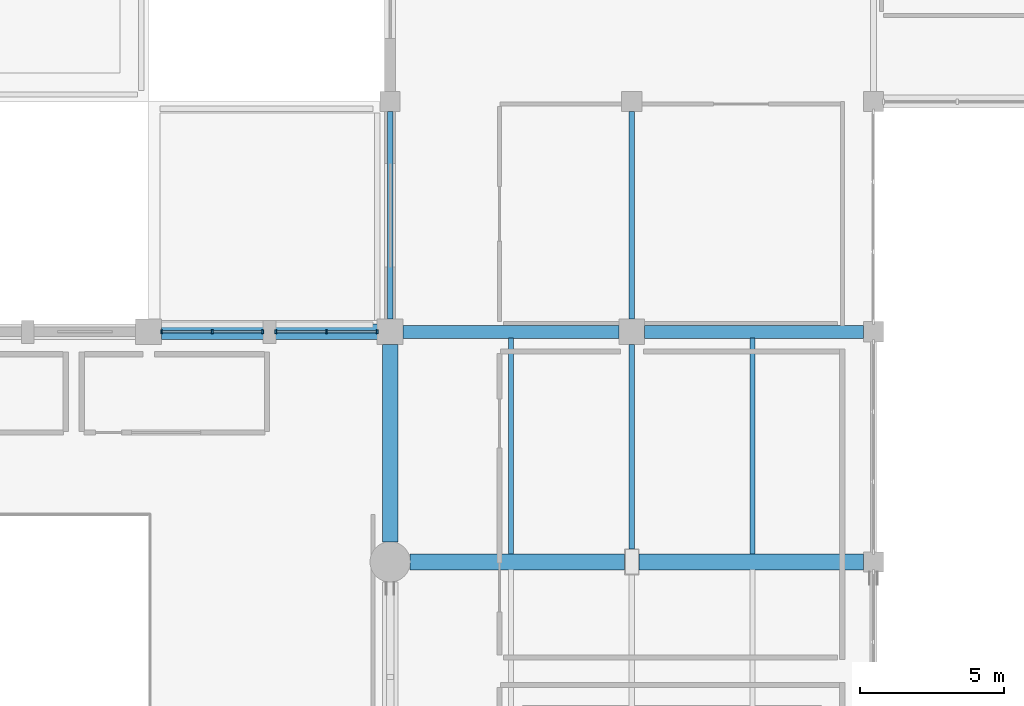
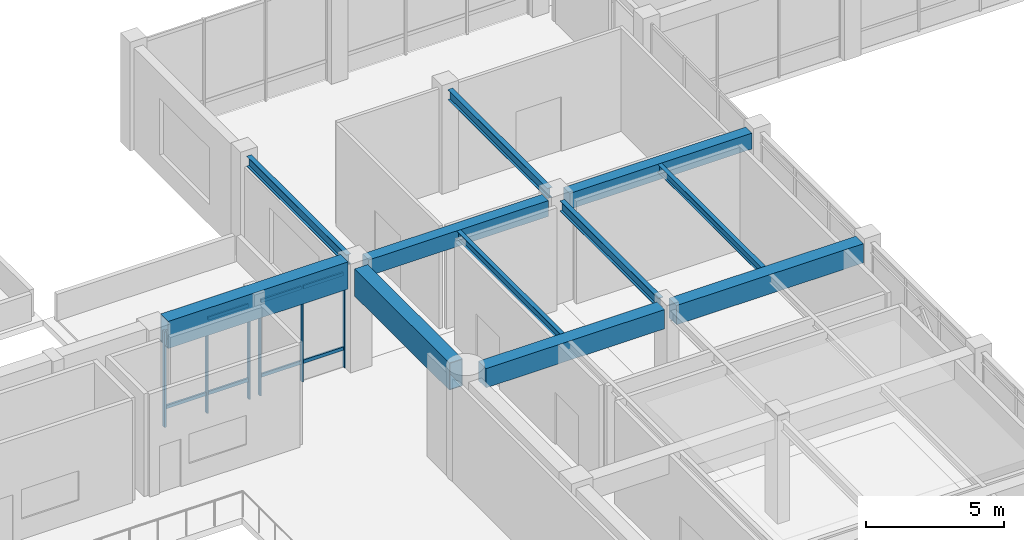
# One storey, part 16 of 76: 14 members, 11 beams, 2 elements without a shape of their own.
"""IFC4 building model written with IfcOpenShell, lengths in metres."""

from ifc_helpers import new_model, si_unit, direction, frame, origin, origin_2d, place, context, subcontext, project, spatial, rectangle, hollow_rectangle, i_section, extrude, material, layer, layer_set, material_profile, profile_set, type_object, element, aggregate, save


model = new_model("IFC4")

# Units and contexts
model_context = context("Model", 3, precision=1e-05, world=origin(), true_north=direction((0.0, 1.0)))
body_context = subcontext(model_context, "Body", "Model", "MODEL_VIEW")
ifc_project = project(units=[si_unit("LENGTHUNIT", "METRE"), si_unit("AREAUNIT", "SQUARE_METRE"), si_unit("VOLUMEUNIT", "CUBIC_METRE"), si_unit("PLANEANGLEUNIT", "RADIAN"), si_unit("MASSUNIT", "GRAM", prefix="KILO")], contexts=[model_context])

# Site, building, storey
site_placement = place(None, origin())
site = spatial("IfcSite", under=ifc_project, at=site_placement, CompositionType="ELEMENT")
building_placement = place(site_placement, origin())
building = spatial("IfcBuilding", under=site, at=building_placement, Name="Naruveol Harbour Congress Hotel", CompositionType="ELEMENT")
storey_placement = place(building_placement, frame((0.0, 0.0, 11.39990234375)))
storey = spatial("IfcBuildingStorey", under=building, at=storey_placement, Name="L02", CompositionType="ELEMENT", Elevation=11.39990234375)

# Beams
ifc_material_1 = material(Name="Concrete C40/50", Category="concrete")
ifc_material_profile_1 = material_profile(ifc_material_1, rectangle(XDim=0.550048828125, YDim=0.85009765625, at=origin_2d()), Name="RCB-550x850")
ifc_profile_set_1 = profile_set([ifc_material_profile_1], Name="Concrete C40/50")
beam_type_1 = type_object("IfcBeamType", Name="RC PRIMARY GIRDER 550X850", PredefinedType="BEAM", material=ifc_profile_set_1)
beam_1_placement = place(storey_placement, frame((51.095947265625, 48.0, 4.114990234375), z_axis=(1.0, 0.0, 0.0), x_axis=(0.0, 1.0, 0.0)))
element("IfcBeam", 1, at=beam_1_placement, inside=storey, type_object=beam_type_1, Name="Floor girder L03 CB2", PredefinedType="BEAM", context=body_context, shape_type="SweptSolid", body=[
    extrude(rectangle(XDim=0.550048828125, YDim=0.85009765625, at=origin_2d()), origin(), (0.0, 0.0, 1.0), 7.4580078125),
])
beam_2_placement = place(storey_placement, frame((59.0458984375, 48.0, 4.114990234375), z_axis=(1.0, 0.0, 0.0), x_axis=(0.0, 1.0, 0.0)))
element("IfcBeam", 2, at=beam_2_placement, inside=storey, type_object=beam_type_1, Name="Floor girder L03 CB2", PredefinedType="BEAM", context=body_context, shape_type="SweptSolid", body=[
    extrude(rectangle(XDim=0.550048828125, YDim=0.85009765625, at=origin_2d()), origin(), (0.0, 0.0, 1.0), 7.80810546875),
])
ifc_material_2 = material(Name="Concrete C40/50", Category="concrete")
ifc_material_profile_2 = material_profile(ifc_material_2, rectangle(XDim=0.449951171875, YDim=0.699951171875, at=origin_2d()), Name="RCB-450x700")
ifc_profile_set_2 = profile_set([ifc_material_profile_2], Name="Concrete C40/50")
beam_type_2 = type_object("IfcBeamType", Name="RC SPANDREL BEAM 450X700", PredefinedType="SPANDREL", material=ifc_profile_set_2)
beam_3_placement = place(storey_placement, frame((50.845947265625, 56.0, 4.190185546875), z_axis=(1.0, 0.0, 0.0), x_axis=(0.0, 1.0, 0.0)))
element("IfcBeam", 3, at=beam_3_placement, inside=storey, type_object=beam_type_2, Name="Floor girder L03 SPB1", PredefinedType="SPANDREL", context=body_context, shape_type="SweptSolid", body=[
    extrude(rectangle(XDim=0.449951171875, YDim=0.699951171875, at=origin_2d()), origin(), (0.0, 0.0, 1.0), 7.508056640625),
])
beam_4_placement = place(storey_placement, frame((59.24609375, 56.0, 4.190185546875), z_axis=(1.0, 0.0, 0.0), x_axis=(0.0, 1.0, 0.0)))
element("IfcBeam", 4, at=beam_4_placement, inside=storey, type_object=beam_type_2, Name="Floor girder L03 SPB1", PredefinedType="SPANDREL", context=body_context, shape_type="SweptSolid", body=[
    extrude(rectangle(XDim=0.449951171875, YDim=0.699951171875, at=origin_2d()), origin(), (0.0, 0.0, 1.0), 7.60791015625),
])
ifc_material_3 = material(Name="Steel SN490", Category="steel")
ifc_material_profile_3 = material_profile(ifc_material_3, hollow_rectangle(XDim=0.550048828125, YDim=1.199951171875, WallThickness=0.028076171875, at=origin_2d()), Name="RHS-1200x550x28")
ifc_profile_set_3 = profile_set([ifc_material_profile_3], Name="Steel SN490")
beam_type_3 = type_object("IfcBeamType", Name="STEEL RING BOX GIRDER 1200X550", PredefinedType="BEAM", material=ifc_profile_set_3)
beam_5_placement = place(storey_placement, frame((42.446044921875, 56.0, 4.2001953125), z_axis=(1.0, 0.0, 0.0), x_axis=(0.0, 1.0, 0.0)))
element("IfcBeam", 5, at=beam_5_placement, inside=storey, type_object=beam_type_3, Name="Congress ring girder RG1", PredefinedType="BEAM", context=body_context, shape_type="SweptSolid", body=[
    extrude(hollow_rectangle(XDim=0.550048828125, YDim=1.199951171875, WallThickness=0.028076171875, at=origin_2d()), origin(), (0.0, 0.0, 1.0), 7.508056640625),
])
beam_6_placement = place(storey_placement, frame((50.39990234375, 48.696044921875, 3.940185546875), z_axis=(0.0, 1.0, 0.0), x_axis=(-1.0, 0.0, 0.0)))
element("IfcBeam", 6, at=beam_6_placement, inside=storey, type_object=beam_type_3, Name="Congress ring girder RG1", PredefinedType="BEAM", context=body_context, shape_type="SweptSolid", body=[
    extrude(hollow_rectangle(XDim=0.550048828125, YDim=1.199951171875, WallThickness=0.028076171875, at=origin_2d()), origin(), (0.0, 0.0, 1.0), 6.85791015625),
])
ifc_material_4 = material(Name="Steel SN490", Category="steel")
ifc_material_profile_4 = material_profile(ifc_material_4, i_section(OverallWidth=0.175048828125, OverallDepth=0.35009765625, WebThickness=0.007080078125, FlangeThickness=0.010986328125, at=origin_2d()), Name="H-350x175x7x11")
ifc_profile_set_4 = profile_set([ifc_material_profile_4], Name="Steel SN490")
beam_type_4 = type_object("IfcBeamType", Name="STEEL SECONDARY JOIST H350", PredefinedType="JOIST", material=ifc_profile_set_4)
for number, where, z_axis, x_axis, name in (
    (7, (54.60009765625, 48.27099609375, 4.364990234375), (0.0, 1.0, 0.0), (-1.0, 0.0, 0.0), "Secondary floor joist L03 SJ2"),
    (8, (63.0, 48.27099609375, 4.364990234375), (0.0, 1.0, 0.0), (-1.0, 0.0, 0.0), "Secondary floor joist L03 SJ2"),
):
    element("IfcBeam", number, at=place(storey_placement, frame(where, z_axis=z_axis, x_axis=x_axis)), inside=storey, type_object=beam_type_4, Name=name, PredefinedType="JOIST", context=body_context, shape_type="SweptSolid", body=[
        extrude(i_section(OverallWidth=0.175048828125, OverallDepth=0.35009765625, WebThickness=0.007080078125, FlangeThickness=0.010986328125, at=origin_2d()), origin(), (0.0, 0.0, 1.0), 7.508056640625),
    ])
ifc_material_5 = material(Name="Steel SN490", Category="steel")
ifc_material_profile_5 = material_profile(ifc_material_5, i_section(OverallWidth=0.199951171875, OverallDepth=0.449951171875, WebThickness=0.009033203125, FlangeThickness=0.013916015625, at=origin_2d()), Name="H-450x200x9x14")
ifc_profile_set_5 = profile_set([ifc_material_profile_5], Name="Steel SN490")
beam_type_5 = type_object("IfcBeamType", Name="STEEL SPANDREL EDGE BEAM H450", PredefinedType="SPANDREL", material=ifc_profile_set_5)
beam_7_placement = place(storey_placement, frame((50.39990234375, 56.446044921875, 4.315185546875), z_axis=(0.0, 1.0, 0.0), x_axis=(-1.0, 0.0, 0.0)))
element("IfcBeam", 9, at=beam_7_placement, inside=storey, type_object=beam_type_5, Name="Transverse girder L03 SPB2", PredefinedType="SPANDREL", context=body_context, shape_type="SweptSolid", body=[
    extrude(i_section(OverallWidth=0.199951171875, OverallDepth=0.449951171875, WebThickness=0.009033203125, FlangeThickness=0.013916015625, at=origin_2d()), origin(), (0.0, 0.0, 1.0), 7.2080078125),
])
beam_8_placement = place(storey_placement, frame((58.800048828125, 48.446044921875, 4.315185546875), z_axis=(0.0, 1.0, 0.0), x_axis=(-1.0, 0.0, 0.0)))
element("IfcBeam", 10, at=beam_8_placement, inside=storey, type_object=beam_type_5, Name="Transverse girder L03 SPB2", PredefinedType="SPANDREL", context=body_context, shape_type="SweptSolid", body=[
    extrude(i_section(OverallWidth=0.199951171875, OverallDepth=0.449951171875, WebThickness=0.009033203125, FlangeThickness=0.013916015625, at=origin_2d()), origin(), (0.0, 0.0, 1.0), 7.10791015625),
])
beam_9_placement = place(storey_placement, frame((58.800048828125, 56.446044921875, 4.315185546875), z_axis=(0.0, 1.0, 0.0), x_axis=(-1.0, 0.0, 0.0)))
element("IfcBeam", 11, at=beam_9_placement, inside=storey, type_object=beam_type_5, Name="Transverse girder L03 SPB2", PredefinedType="SPANDREL", context=body_context, shape_type="SweptSolid", body=[
    extrude(i_section(OverallWidth=0.199951171875, OverallDepth=0.449951171875, WebThickness=0.009033203125, FlangeThickness=0.013916015625, at=origin_2d()), origin(), (0.0, 0.0, 1.0), 7.2080078125),
])

# Curtain wall, members
ifc_material_6 = material(Name="Low-E Curtain Wall System", Category="glass")
ifc_layer = layer(ifc_material_6, 0.179931640625)
ifc_layer_set = layer_set([ifc_layer], Name="Low-E Curtain Wall System")
curtain_wall_type = type_object("IfcCurtainWallType", Name="UNITISED CURTAIN WALL CW-V1N-07 3525X4220", PredefinedType="USERDEFINED", material=ifc_layer_set)
curtain_wall_1_placement = place(storey_placement, origin())
curtain_wall_1 = element("IfcCurtainWall", 12, at=curtain_wall_1_placement, inside=storey, type_object=curtain_wall_type, Name="Unitised curtain wall CW-V1N-07 L02", ObjectType="UNITISED GLAZING", PredefinedType="USERDEFINED")
ifc_material_7 = material(Name="Anodised Aluminium 6063-T6", Category="aluminium")
ifc_material_profile_6 = material_profile(ifc_material_7, rectangle(XDim=0.06494140625, YDim=0.14990234375, at=origin_2d()), Name="ALU-65x150")
ifc_profile_set_6 = profile_set([ifc_material_profile_6], Name="Anodised Aluminium 6063-T6")
member_type_1 = type_object("IfcMemberType", Name="THERMAL ALUMINIUM MULLION 65X150", PredefinedType="MULLION", material=ifc_profile_set_6)
member_1_placement = place(storey_placement, frame((42.449951171875, 56.0, 0.0), z_axis=(0.0, 0.0, 1.0), x_axis=(1.0, 0.0, 0.0)))
member_1 = element("IfcMember", 13, at=member_1_placement, type_object=member_type_1, Name="Curtain wall mullion CW-L02-0007-M0", PredefinedType="MULLION", context=body_context, shape_type="SweptSolid", body=[
    extrude(rectangle(XDim=0.06494140625, YDim=0.14990234375, at=origin_2d()), origin(), (0.0, 0.0, 1.0), 4.22021484375),
])
member_2_placement = place(storey_placement, frame((44.21240234375, 56.0, 0.0), z_axis=(0.0, 0.0, 1.0), x_axis=(1.0, 0.0, 0.0)))
member_2 = element("IfcMember", 14, at=member_2_placement, type_object=member_type_1, Name="Curtain wall mullion CW-L02-0007-M1", PredefinedType="MULLION", context=body_context, shape_type="SweptSolid", body=[
    extrude(rectangle(XDim=0.06494140625, YDim=0.14990234375, at=origin_2d()), origin(), (0.0, 0.0, 1.0), 4.22021484375),
])
member_3_placement = place(storey_placement, frame((45.97509765625, 56.0, 0.0), z_axis=(0.0, 0.0, 1.0), x_axis=(1.0, 0.0, 0.0)))
member_3 = element("IfcMember", 15, at=member_3_placement, type_object=member_type_1, Name="Curtain wall mullion CW-L02-0007-M2", PredefinedType="MULLION", context=body_context, shape_type="SweptSolid", body=[
    extrude(rectangle(XDim=0.06494140625, YDim=0.14990234375, at=origin_2d()), origin(), (0.0, 0.0, 1.0), 4.22021484375),
])

curtain_wall_2_placement = place(storey_placement, origin())
curtain_wall_2 = element("IfcCurtainWall", 16, at=curtain_wall_2_placement, inside=storey, type_object=curtain_wall_type, Name="Unitised curtain wall CW-V1N-07 L02", ObjectType="UNITISED GLAZING", PredefinedType="USERDEFINED")
member_4_placement = place(storey_placement, frame((46.425048828125, 56.0, 0.0), z_axis=(0.0, 0.0, 1.0), x_axis=(1.0, 0.0, 0.0)))
member_4 = element("IfcMember", 17, at=member_4_placement, type_object=member_type_1, Name="Curtain wall mullion CW-L02-0008-M0", PredefinedType="MULLION", context=body_context, shape_type="SweptSolid", body=[
    extrude(rectangle(XDim=0.06494140625, YDim=0.14990234375, at=origin_2d()), origin(), (0.0, 0.0, 1.0), 4.22021484375),
])
member_5_placement = place(storey_placement, frame((48.1875, 56.0, 0.0), z_axis=(0.0, 0.0, 1.0), x_axis=(1.0, 0.0, 0.0)))
member_5 = element("IfcMember", 18, at=member_5_placement, type_object=member_type_1, Name="Curtain wall mullion CW-L02-0008-M1", PredefinedType="MULLION", context=body_context, shape_type="SweptSolid", body=[
    extrude(rectangle(XDim=0.06494140625, YDim=0.14990234375, at=origin_2d()), origin(), (0.0, 0.0, 1.0), 4.22021484375),
])
member_6_placement = place(storey_placement, frame((49.949951171875, 56.0, 0.0), z_axis=(0.0, 0.0, 1.0), x_axis=(1.0, 0.0, 0.0)))
member_6 = element("IfcMember", 19, at=member_6_placement, type_object=member_type_1, Name="Curtain wall mullion CW-L02-0008-M2", PredefinedType="MULLION", context=body_context, shape_type="SweptSolid", body=[
    extrude(rectangle(XDim=0.06494140625, YDim=0.14990234375, at=origin_2d()), origin(), (0.0, 0.0, 1.0), 4.22021484375),
])

# Member
ifc_material_8 = material(Name="Anodised Aluminium 6063-T6", Category="aluminium")
ifc_material_profile_7 = material_profile(ifc_material_8, rectangle(XDim=0.074951171875, YDim=0.14990234375, at=origin_2d()), Name="ALU-75x150")
ifc_profile_set_7 = profile_set([ifc_material_profile_7], Name="Anodised Aluminium 6063-T6")
member_type_2 = type_object("IfcMemberType", Name="THERMAL ALUMINIUM TRANSOM 75X150", PredefinedType="USERDEFINED", material=ifc_profile_set_7)
member_7_placement = place(storey_placement, frame((42.489990234375, 56.0, 0.85009765625), z_axis=(1.0, 0.0, 0.0), x_axis=(0.0, 1.0, 0.0)))
member_7 = element("IfcMember", 20, at=member_7_placement, type_object=member_type_2, Name="Curtain wall transom CW-L02-0007-T0.1", ObjectType="TRANSOM", PredefinedType="USERDEFINED", context=body_context, shape_type="SweptSolid", body=[
    extrude(rectangle(XDim=0.074951171875, YDim=0.14990234375, at=origin_2d()), origin(), (0.0, 0.0, 1.0), 1.6826171875),
])

member_8_placement = place(storey_placement, frame((42.489990234375, 56.0, 4.14013671875), z_axis=(1.0, 0.0, 0.0), x_axis=(0.0, 1.0, 0.0)))
member_8 = element("IfcMember", 21, at=member_8_placement, type_object=member_type_2, Name="Curtain wall transom CW-L02-0007-T0.2", ObjectType="TRANSOM", PredefinedType="USERDEFINED", context=body_context, shape_type="SweptSolid", body=[
    extrude(rectangle(XDim=0.074951171875, YDim=0.14990234375, at=origin_2d()), origin(), (0.0, 0.0, 1.0), 1.6826171875),
])

member_9_placement = place(storey_placement, frame((44.25244140625, 56.0, 0.85009765625), z_axis=(1.0, 0.0, 0.0), x_axis=(0.0, 1.0, 0.0)))
member_9 = element("IfcMember", 22, at=member_9_placement, type_object=member_type_2, Name="Curtain wall transom CW-L02-0007-T1.1", ObjectType="TRANSOM", PredefinedType="USERDEFINED", context=body_context, shape_type="SweptSolid", body=[
    extrude(rectangle(XDim=0.074951171875, YDim=0.14990234375, at=origin_2d()), origin(), (0.0, 0.0, 1.0), 1.6826171875),
])

member_10_placement = place(storey_placement, frame((44.25244140625, 56.0, 4.14013671875), z_axis=(1.0, 0.0, 0.0), x_axis=(0.0, 1.0, 0.0)))
member_10 = element("IfcMember", 23, at=member_10_placement, type_object=member_type_2, Name="Curtain wall transom CW-L02-0007-T1.2", ObjectType="TRANSOM", PredefinedType="USERDEFINED", context=body_context, shape_type="SweptSolid", body=[
    extrude(rectangle(XDim=0.074951171875, YDim=0.14990234375, at=origin_2d()), origin(), (0.0, 0.0, 1.0), 1.6826171875),
])

aggregate(curtain_wall_1, [member_1, member_2, member_3, member_7, member_8, member_9, member_10])

member_11_placement = place(storey_placement, frame((46.465087890625, 56.0, 0.85009765625), z_axis=(1.0, 0.0, 0.0), x_axis=(0.0, 1.0, 0.0)))
member_11 = element("IfcMember", 24, at=member_11_placement, type_object=member_type_2, Name="Curtain wall transom CW-L02-0008-T0.1", ObjectType="TRANSOM", PredefinedType="USERDEFINED", context=body_context, shape_type="SweptSolid", body=[
    extrude(rectangle(XDim=0.074951171875, YDim=0.14990234375, at=origin_2d()), origin(), (0.0, 0.0, 1.0), 1.682373046875),
])

member_12_placement = place(storey_placement, frame((46.465087890625, 56.0, 4.14013671875), z_axis=(1.0, 0.0, 0.0), x_axis=(0.0, 1.0, 0.0)))
member_12 = element("IfcMember", 25, at=member_12_placement, type_object=member_type_2, Name="Curtain wall transom CW-L02-0008-T0.2", ObjectType="TRANSOM", PredefinedType="USERDEFINED", context=body_context, shape_type="SweptSolid", body=[
    extrude(rectangle(XDim=0.074951171875, YDim=0.14990234375, at=origin_2d()), origin(), (0.0, 0.0, 1.0), 1.682373046875),
])

member_13_placement = place(storey_placement, frame((48.2275390625, 56.0, 0.85009765625), z_axis=(1.0, 0.0, 0.0), x_axis=(0.0, 1.0, 0.0)))
member_13 = element("IfcMember", 26, at=member_13_placement, type_object=member_type_2, Name="Curtain wall transom CW-L02-0008-T1.1", ObjectType="TRANSOM", PredefinedType="USERDEFINED", context=body_context, shape_type="SweptSolid", body=[
    extrude(rectangle(XDim=0.074951171875, YDim=0.14990234375, at=origin_2d()), origin(), (0.0, 0.0, 1.0), 1.682373046875),
])

member_14_placement = place(storey_placement, frame((48.2275390625, 56.0, 4.14013671875), z_axis=(1.0, 0.0, 0.0), x_axis=(0.0, 1.0, 0.0)))
member_14 = element("IfcMember", 27, at=member_14_placement, type_object=member_type_2, Name="Curtain wall transom CW-L02-0008-T1.2", ObjectType="TRANSOM", PredefinedType="USERDEFINED", context=body_context, shape_type="SweptSolid", body=[
    extrude(rectangle(XDim=0.074951171875, YDim=0.14990234375, at=origin_2d()), origin(), (0.0, 0.0, 1.0), 1.682373046875),
])

aggregate(curtain_wall_2, [member_4, member_5, member_6, member_11, member_12, member_13, member_14])

save(model, "model.ifc")
